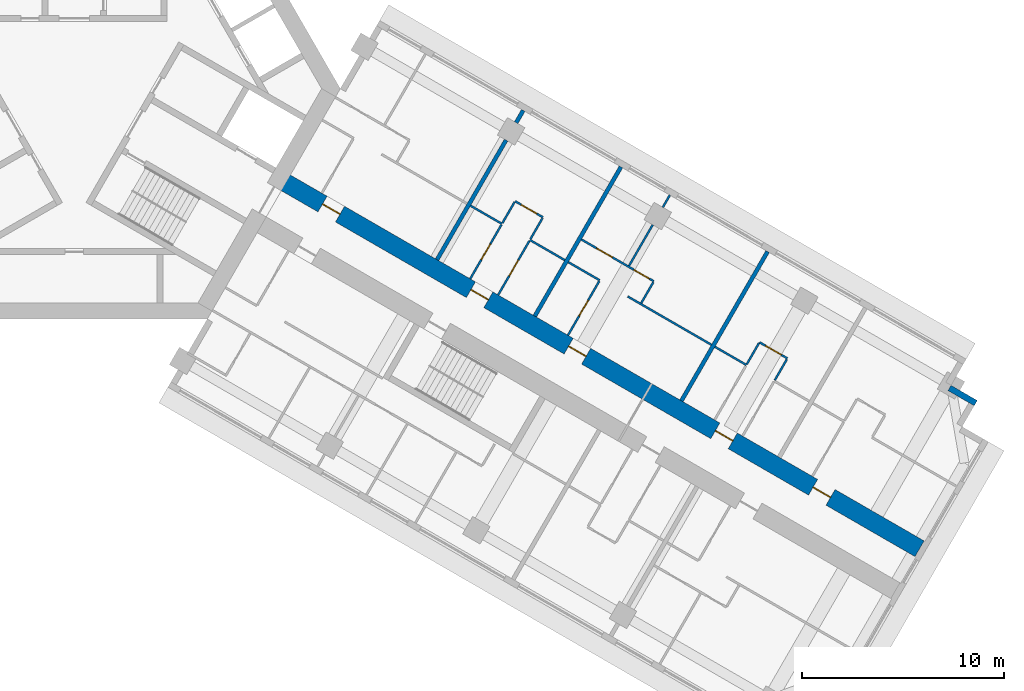
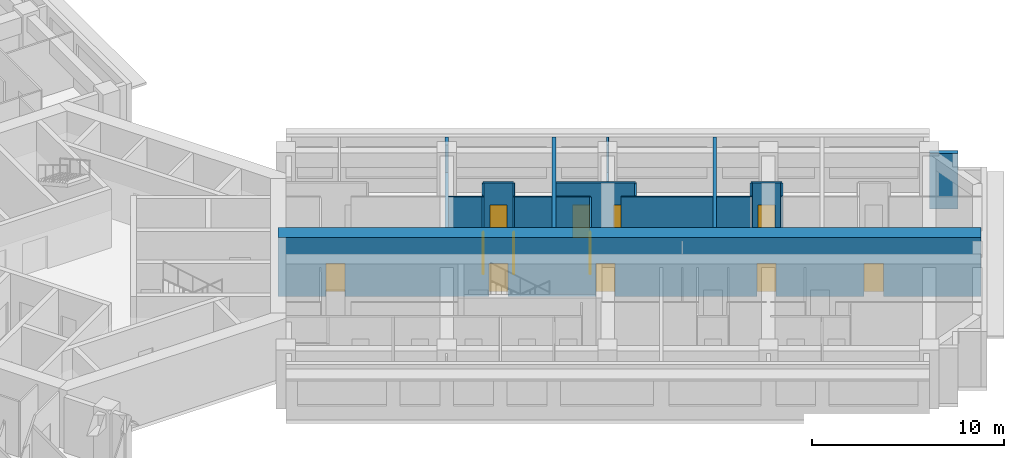
# One storey, part 12 of 15: 24 walls, 12 doors, 12 openings.
"""IFC4 building model written with IfcOpenShell, lengths in metres."""

from ifc_helpers import new_model, si_unit, direction, frame, frame_2d, origin, place, context, subcontext, project, spatial, rectangle, extrude, material, layer, layer_set, type_object, element, fill, save


model = new_model("IFC4")

# Units and contexts
model_context = context("Model", 3, precision=1e-05, world=origin(), true_north=direction((0.0, 1.0)))
body_context = subcontext(model_context, "Body", "Model", "MODEL_VIEW")
ifc_project = project(units=[si_unit("LENGTHUNIT", "METRE"), si_unit("AREAUNIT", "SQUARE_METRE"), si_unit("VOLUMEUNIT", "CUBIC_METRE"), si_unit("PLANEANGLEUNIT", "RADIAN"), si_unit("MASSUNIT", "GRAM", prefix="KILO")], contexts=[model_context])

# Site, building, storey
site_placement = place(None, origin())
site = spatial("IfcSite", under=ifc_project, at=site_placement, CompositionType="ELEMENT")
building_placement = place(site_placement, origin())
building = spatial("IfcBuilding", under=site, at=building_placement, Name="Impinga Residences", CompositionType="ELEMENT")
storey_placement = place(building_placement, frame((0.0, 0.0, 109.75)))
storey = spatial("IfcBuildingStorey", under=building, at=storey_placement, Name="L26", CompositionType="ELEMENT", Elevation=109.75)

# Wall, openings, doors
ifc_material_1 = material(Name="Concrete C60/75", Category="concrete")
ifc_layer_1 = layer(ifc_material_1, 0.89990234375)
ifc_layer_set_1 = layer_set([ifc_layer_1], Name="Concrete C60/75")
wall_type_1 = type_object("IfcWallType", Name="BW2 corridor buttress wall, L24 to L44 900", PredefinedType="SHEAR", material=ifc_layer_set_1)
wall_1_placement = place(storey_placement, frame((10.153564453125, -4.4765625, 0.0), z_axis=(0.0, 0.0, 1.0), x_axis=(0.866027614434, -0.499996171023, 0.0)))
wall_1 = element("IfcWall", 1, at=wall_1_placement, inside=storey, type_object=wall_type_1, Name="Corridor wall BW2 EC L26", PredefinedType="SHEAR", context=body_context, shape_type="SweptSolid", body=[
    extrude(rectangle(XDim=36.699951171875, YDim=0.89990234375, at=frame_2d((18.35009765625, 0.0))), origin(), (0.0, 0.0, 1.0), 3.75),
])
opening_1_placement = place(wall_1_placement, frame((2.5, 0.0, 0.0)))
opening_1 = element("IfcOpeningElement", 2, at=opening_1_placement, cuts=wall_1, Name="Opening D1", PredefinedType="OPENING", context=body_context, shape_type="SweptSolid", body=[
    extrude(rectangle(XDim=1.0, YDim=2.10009765625, at=frame_2d((0.5, 1.050048828125))), frame((0.0, 0.4599609375, 0.0), z_axis=(0.0, -1.0, 0.0), x_axis=(1.0, 0.0, 0.0)), (0.0, 0.0, 1.0), 0.919921875),
])
opening_2_placement = place(wall_1_placement, frame((11.0, 0.0, 0.0)))
opening_2 = element("IfcOpeningElement", 3, at=opening_2_placement, cuts=wall_1, Name="Opening D1", PredefinedType="OPENING", context=body_context, shape_type="SweptSolid", body=[
    extrude(rectangle(XDim=1.0, YDim=2.10009765625, at=frame_2d((0.5, 1.050048828125))), frame((0.0, 0.4599609375, 0.0), z_axis=(0.0, -1.0, 0.0), x_axis=(1.0, 0.0, 0.0)), (0.0, 0.0, 1.0), 0.919921875),
])
opening_3_placement = place(wall_1_placement, frame((16.60009765625, 0.0, 0.0)))
opening_3 = element("IfcOpeningElement", 4, at=opening_3_placement, cuts=wall_1, Name="Opening D1", PredefinedType="OPENING", context=body_context, shape_type="SweptSolid", body=[
    extrude(rectangle(XDim=1.0, YDim=2.10009765625, at=frame_2d((0.5, 1.050048828125))), frame((0.0, 0.4599609375, 0.0), z_axis=(0.0, -1.0, 0.0), x_axis=(1.0, 0.0, 0.0)), (0.0, 0.0, 1.0), 0.919921875),
])
opening_4_placement = place(wall_1_placement, frame((25.0, 0.0, 0.0)))
opening_4 = element("IfcOpeningElement", 5, at=opening_4_placement, cuts=wall_1, Name="Opening D1", PredefinedType="OPENING", context=body_context, shape_type="SweptSolid", body=[
    extrude(rectangle(XDim=1.0, YDim=2.10009765625, at=frame_2d((0.5, 1.050048828125))), frame((0.0, 0.4599609375, 0.0), z_axis=(0.0, -1.0, 0.0), x_axis=(1.0, 0.0, 0.0)), (0.0, 0.0, 1.0), 0.919921875),
])
opening_5_placement = place(wall_1_placement, frame((30.60009765625, 0.0, 0.0)))
opening_5 = element("IfcOpeningElement", 6, at=opening_5_placement, cuts=wall_1, Name="Opening D1", PredefinedType="OPENING", context=body_context, shape_type="SweptSolid", body=[
    extrude(rectangle(XDim=1.0, YDim=2.10009765625, at=frame_2d((0.5, 1.050048828125))), frame((0.0, 0.4599609375, 0.0), z_axis=(0.0, -1.0, 0.0), x_axis=(1.0, 0.0, 0.0)), (0.0, 0.0, 1.0), 0.919921875),
])
ifc_material_2 = material(Name="Timber door set", Category="wood")
door_type_1 = type_object("IfcDoorType", Name="D1 apartment entrance door 1000x2100", OperationType="SINGLE_SWING_LEFT", PredefinedType="DOOR", material=ifc_material_2)
door_1_placement = place(opening_1_placement, origin())
door_1 = element("IfcDoor", 7, at=door_1_placement, inside=storey, type_object=door_type_1, Name="Apartment L26-EA1 entrance", OperationType="SINGLE_SWING_LEFT", OverallHeight=2.10009765625, OverallWidth=1.0, PredefinedType="DOOR", context=body_context, shape_type="SweptSolid", body=[
    extrude(rectangle(XDim=1.0, YDim=2.10009765625, at=frame_2d((0.5, 1.050048828125))), frame((0.0, 0.02490234375, 0.0), z_axis=(0.0, -1.0, 0.0), x_axis=(1.0, 0.0, 0.0)), (0.0, 0.0, 1.0), 0.050048828125),
])
fill(opening_1, door_1)
door_2_placement = place(opening_2_placement, origin())
door_2 = element("IfcDoor", 8, at=door_2_placement, inside=storey, type_object=door_type_1, Name="Apartment L26-EA2 entrance", OperationType="SINGLE_SWING_LEFT", OverallHeight=2.10009765625, OverallWidth=1.0, PredefinedType="DOOR", context=body_context, shape_type="SweptSolid", body=[
    extrude(rectangle(XDim=1.0, YDim=2.10009765625, at=frame_2d((0.5, 1.050048828125))), frame((0.0, 0.02490234375, 0.0), z_axis=(0.0, -1.0, 0.0), x_axis=(1.0, 0.0, 0.0)), (0.0, 0.0, 1.0), 0.050048828125),
])
fill(opening_2, door_2)
door_3_placement = place(opening_3_placement, origin())
door_3 = element("IfcDoor", 9, at=door_3_placement, inside=storey, type_object=door_type_1, Name="Apartment L26-EA3 entrance", OperationType="SINGLE_SWING_LEFT", OverallHeight=2.10009765625, OverallWidth=1.0, PredefinedType="DOOR", context=body_context, shape_type="SweptSolid", body=[
    extrude(rectangle(XDim=1.0, YDim=2.10009765625, at=frame_2d((0.5, 1.050048828125))), frame((0.0, 0.02490234375, 0.0), z_axis=(0.0, -1.0, 0.0), x_axis=(1.0, 0.0, 0.0)), (0.0, 0.0, 1.0), 0.050048828125),
])
fill(opening_3, door_3)
door_4_placement = place(opening_4_placement, origin())
door_4 = element("IfcDoor", 10, at=door_4_placement, inside=storey, type_object=door_type_1, Name="Apartment L26-EA4 entrance", OperationType="SINGLE_SWING_RIGHT", OverallHeight=2.10009765625, OverallWidth=1.0, PredefinedType="DOOR", context=body_context, shape_type="SweptSolid", body=[
    extrude(rectangle(XDim=1.0, YDim=2.10009765625, at=frame_2d((0.5, 1.050048828125))), frame((0.0, 0.02490234375, 0.0), z_axis=(0.0, -1.0, 0.0), x_axis=(1.0, 0.0, 0.0)), (0.0, 0.0, 1.0), 0.050048828125),
])
fill(opening_4, door_4)
door_5_placement = place(opening_5_placement, origin())
door_5 = element("IfcDoor", 11, at=door_5_placement, inside=storey, type_object=door_type_1, Name="Apartment L26-EA5 entrance", OperationType="SINGLE_SWING_RIGHT", OverallHeight=2.10009765625, OverallWidth=1.0, PredefinedType="DOOR", context=body_context, shape_type="SweptSolid", body=[
    extrude(rectangle(XDim=1.0, YDim=2.10009765625, at=frame_2d((0.5, 1.050048828125))), frame((0.0, 0.02490234375, 0.0), z_axis=(0.0, -1.0, 0.0), x_axis=(1.0, 0.0, 0.0)), (0.0, 0.0, 1.0), 0.050048828125),
])
fill(opening_5, door_5)

# Walls
ifc_material_3 = material(Name="Terracotta rainscreen on blockwork", Category="masonry")
ifc_layer_2 = layer(ifc_material_3, 0.300048828125)
ifc_layer_set_2 = layer_set([ifc_layer_2], Name="EW1 external wall, terracotta rainscreen on blockwork 300")
wall_type_2 = type_object("IfcWallType", Name="EW1 external wall, terracotta rainscreen on blockwork 300", PredefinedType="SOLIDWALL", material=ifc_layer_set_2)
wall_2_placement = place(storey_placement, frame((43.42333984375, -14.8515625, 0.0), z_axis=(0.0, 0.0, 1.0), x_axis=(0.866031096941, -0.499990139034, 0.0)))
element("IfcWall", 12, at=wall_2_placement, inside=storey, type_object=wall_type_2, Name="External wall EW1 L26", PredefinedType="SOLIDWALL", context=body_context, shape_type="SweptSolid", body=[
    extrude(rectangle(XDim=1.5, YDim=0.300048828125, at=frame_2d((0.75, 0.0))), origin(), (0.0, 0.0, 1.0), 3.530029296875),
])
ifc_material_4 = material(Name="Gypsum board on steel studs", Category="steel")
ifc_layer_3 = layer(ifc_material_4, 0.10009765625)
ifc_layer_set_3 = layer_set([ifc_layer_3], Name="Gypsum board on steel studs")
wall_type_3 = type_object("IfcWallType", Name="IP1 partition 100", PredefinedType="PARTITIONING", material=ifc_layer_set_3)
wall_3_placement = place(storey_placement, frame((19.6611328125, -5.808837890625, 0.0), z_axis=(0.0, 0.0, 1.0), x_axis=(0.866047807691, -0.499961193289, 0.0)))
element("IfcWall", 13, at=wall_3_placement, inside=storey, type_object=wall_type_3, Name="Partition L26-EA2:DIV0", PredefinedType="PARTITIONING", context=body_context, shape_type="SweptSolid", body=[
    extrude(rectangle(XDim=1.800048828125, YDim=0.10009765625, at=frame_2d((0.89990234375, 0.0))), origin(), (0.0, 0.0, 1.0), 3.530029296875),
])
wall_4_placement = place(storey_placement, frame((22.605712890625, -7.5087890625, 0.0), z_axis=(0.0, 0.0, 1.0), x_axis=(0.866010750942, -0.50002537861, 0.0)))
element("IfcWall", 14, at=wall_4_placement, inside=storey, type_object=wall_type_3, Name="Partition L26-EA2:DIV1", PredefinedType="PARTITIONING", context=body_context, shape_type="SweptSolid", body=[
    extrude(rectangle(XDim=2.0, YDim=0.10009765625, at=frame_2d((1.0, 0.0))), origin(), (0.0, 0.0, 1.0), 3.530029296875),
])

# Wall, opening, door
wall_5_placement = place(storey_placement, frame((21.8701171875, -5.5830078125, 0.0), z_axis=(0.0, 0.0, 1.0), x_axis=(0.865989903783, -0.500061482766, 0.0)))
wall_5 = element("IfcWall", 15, at=wall_5_placement, inside=storey, type_object=wall_type_3, Name="Partition L26-EA2:STRIP", PredefinedType="PARTITIONING", context=body_context, shape_type="SweptSolid", body=[
    extrude(rectangle(XDim=1.599853515625, YDim=0.10009765625, at=frame_2d((0.7998046875, 0.0))), origin(), (0.0, 0.0, 1.0), 3.530029296875),
])
opening_6_placement = place(wall_5_placement, frame((0.35009765625, 0.0, 0.0)))
opening_6 = element("IfcOpeningElement", 16, at=opening_6_placement, cuts=wall_5, Name="Opening D2", PredefinedType="OPENING", context=body_context, shape_type="SweptSolid", body=[
    extrude(rectangle(XDim=0.89990234375, YDim=2.10009765625, at=frame_2d((0.449951171875, 1.050048828125))), frame((0.0, 0.06005859375, 0.0), z_axis=(0.0, -1.0, 0.0), x_axis=(1.0, 0.0, 0.0)), (0.0, 0.0, 1.0), 0.1201171875),
])
door_type_2 = type_object("IfcDoorType", Name="D2 internal door 900x2100", OperationType="SINGLE_SWING_LEFT", PredefinedType="DOOR", material=ifc_material_2)
door_6_placement = place(opening_6_placement, origin())
door_6 = element("IfcDoor", 17, at=door_6_placement, inside=storey, type_object=door_type_2, Name="Apartment L26-EA2 room door", OperationType="SINGLE_SWING_LEFT", OverallHeight=2.10009765625, OverallWidth=0.89990234375, PredefinedType="DOOR", context=body_context, shape_type="SweptSolid", body=[
    extrude(rectangle(XDim=0.89990234375, YDim=2.10009765625, at=frame_2d((0.449951171875, 1.050048828125))), frame((0.0, 0.02490234375, 0.0), z_axis=(0.0, -1.0, 0.0), x_axis=(1.0, 0.0, 0.0)), (0.0, 0.0, 1.0), 0.050048828125),
])
fill(opening_6, door_6)

# Walls
wall_6_placement = place(storey_placement, frame((21.2451171875, -6.66552734375, 0.0), z_axis=(0.0, 0.0, 1.0), x_axis=(0.499880961361, 0.866094119867, 0.0)))
element("IfcWall", 18, at=wall_6_placement, inside=storey, type_object=wall_type_3, Name="Partition L26-EA2:SE0", PredefinedType="PARTITIONING", context=body_context, shape_type="SweptSolid", body=[
    extrude(rectangle(XDim=1.199951171875, YDim=0.10009765625, at=frame_2d((0.60009765625, 0.0))), origin(), (0.0, 0.0, 1.0), 3.530029296875),
])
wall_7_placement = place(storey_placement, frame((22.630615234375, -7.465576171875, 0.0), z_axis=(0.0, 0.0, 1.0), x_axis=(0.500033551112, 0.866006032174, 0.0)))
element("IfcWall", 19, at=wall_7_placement, inside=storey, type_object=wall_type_3, Name="Partition L26-EA2:SE1", PredefinedType="PARTITIONING", context=body_context, shape_type="SweptSolid", body=[
    extrude(rectangle(XDim=1.2001953125, YDim=0.10009765625, at=frame_2d((0.60009765625, 0.0))), origin(), (0.0, 0.0, 1.0), 3.530029296875),
])

# Wall, opening, door
wall_8_placement = place(storey_placement, frame((19.64501953125, -9.436767578125, 0.0), z_axis=(0.0, 0.0, 1.0), x_axis=(0.500026960575, 0.86600983753, 0.0)))
wall_8 = element("IfcWall", 20, at=wall_8_placement, inside=storey, type_object=wall_type_3, Name="Partition L26-EA2:IB1", PredefinedType="PARTITIONING", context=body_context, shape_type="SweptSolid", body=[
    extrude(rectangle(XDim=3.099853515625, YDim=0.10009765625, at=frame_2d((1.5498046875, 0.0))), origin(), (0.0, 0.0, 1.0), 3.530029296875),
])
opening_7_placement = place(wall_8_placement, frame((1.10009765625, 0.0, 0.0)))
opening_7 = element("IfcOpeningElement", 21, at=opening_7_placement, cuts=wall_8, Name="Opening D2", PredefinedType="OPENING", context=body_context, shape_type="SweptSolid", body=[
    extrude(rectangle(XDim=0.89990234375, YDim=2.10009765625, at=frame_2d((0.449951171875, 1.050048828125))), frame((0.0, 0.06005859375, 0.0), z_axis=(0.0, -1.0, 0.0), x_axis=(1.0, 0.0, 0.0)), (0.0, 0.0, 1.0), 0.1201171875),
])
door_7_placement = place(opening_7_placement, origin())
door_7 = element("IfcDoor", 22, at=door_7_placement, inside=storey, type_object=door_type_2, Name="Apartment L26-EA2 bathroom door", OperationType="SINGLE_SWING_LEFT", OverallHeight=2.10009765625, OverallWidth=0.89990234375, PredefinedType="DOOR", context=body_context, shape_type="SweptSolid", body=[
    extrude(rectangle(XDim=0.89990234375, YDim=2.10009765625, at=frame_2d((0.449951171875, 1.050048828125))), frame((0.0, 0.02490234375, 0.0), z_axis=(0.0, -1.0, 0.0), x_axis=(1.0, 0.0, 0.0)), (0.0, 0.0, 1.0), 0.050048828125),
])
fill(opening_7, door_7)

wall_9_placement = place(storey_placement, frame((21.03076171875, -10.23681640625, 0.0), z_axis=(0.0, 0.0, 1.0), x_axis=(0.500026960575, 0.86600983753, 0.0)))
wall_9 = element("IfcWall", 23, at=wall_9_placement, inside=storey, type_object=wall_type_3, Name="Partition L26-EA2:IB2", PredefinedType="PARTITIONING", context=body_context, shape_type="SweptSolid", body=[
    extrude(rectangle(XDim=3.099853515625, YDim=0.10009765625, at=frame_2d((1.5498046875, 0.0))), origin(), (0.0, 0.0, 1.0), 3.530029296875),
])
opening_8_placement = place(wall_9_placement, frame((1.10009765625, 0.0, 0.0)))
opening_8 = element("IfcOpeningElement", 24, at=opening_8_placement, cuts=wall_9, Name="Opening D2", PredefinedType="OPENING", context=body_context, shape_type="SweptSolid", body=[
    extrude(rectangle(XDim=0.89990234375, YDim=2.10009765625, at=frame_2d((0.449951171875, 1.050048828125))), frame((0.0, 0.06005859375, 0.0), z_axis=(0.0, -1.0, 0.0), x_axis=(1.0, 0.0, 0.0)), (0.0, 0.0, 1.0), 0.1201171875),
])
door_8_placement = place(opening_8_placement, origin())
door_8 = element("IfcDoor", 25, at=door_8_placement, inside=storey, type_object=door_type_2, Name="Apartment L26-EA2 WC door", OperationType="SINGLE_SWING_LEFT", OverallHeight=2.10009765625, OverallWidth=0.89990234375, PredefinedType="DOOR", context=body_context, shape_type="SweptSolid", body=[
    extrude(rectangle(XDim=0.89990234375, YDim=2.10009765625, at=frame_2d((0.449951171875, 1.050048828125))), frame((0.0, 0.02490234375, 0.0), z_axis=(0.0, -1.0, 0.0), x_axis=(1.0, 0.0, 0.0)), (0.0, 0.0, 1.0), 0.050048828125),
])
fill(opening_8, door_8)

# Walls
wall_10_placement = place(storey_placement, frame((24.510986328125, -8.60888671875, 0.0), z_axis=(0.0, 0.0, 1.0), x_axis=(0.866047807691, -0.499961193289, 0.0)))
element("IfcWall", 26, at=wall_10_placement, inside=storey, type_object=wall_type_3, Name="Partition L26-EA3:DIV0", PredefinedType="PARTITIONING", context=body_context, shape_type="SweptSolid", body=[
    extrude(rectangle(XDim=1.800048828125, YDim=0.10009765625, at=frame_2d((0.89990234375, 0.0))), origin(), (0.0, 0.0, 1.0), 3.530029296875),
])
wall_11_placement = place(storey_placement, frame((27.45556640625, -10.308837890625, 0.0), z_axis=(0.0, 0.0, 1.0), x_axis=(0.866024647952, -0.500001309137, 0.0)))
element("IfcWall", 27, at=wall_11_placement, inside=storey, type_object=wall_type_3, Name="Partition L26-EA3:DIV1", PredefinedType="PARTITIONING", context=body_context, shape_type="SweptSolid", body=[
    extrude(rectangle(XDim=4.7998046875, YDim=0.10009765625, at=frame_2d((2.39990234375, 0.0))), origin(), (0.0, 0.0, 1.0), 3.530029296875),
])

# Wall, openings, doors
wall_12_placement = place(storey_placement, frame((25.160888671875, -7.48291015625, 0.0), z_axis=(0.0, 0.0, 1.0), x_axis=(0.866004344652, -0.500036473714, 0.0)))
wall_12 = element("IfcWall", 28, at=wall_12_placement, inside=storey, type_object=wall_type_3, Name="Partition L26-EA3:STRIP", PredefinedType="PARTITIONING", context=body_context, shape_type="SweptSolid", body=[
    extrude(rectangle(XDim=4.150146484375, YDim=0.10009765625, at=frame_2d((2.0751953125, 0.0))), origin(), (0.0, 0.0, 1.0), 3.530029296875),
])
opening_9_placement = place(wall_12_placement, frame((0.875, 0.0, 0.0)))
opening_9 = element("IfcOpeningElement", 29, at=opening_9_placement, cuts=wall_12, Name="Opening D2", PredefinedType="OPENING", context=body_context, shape_type="SweptSolid", body=[
    extrude(rectangle(XDim=0.89990234375, YDim=2.10009765625, at=frame_2d((0.449951171875, 1.050048828125))), frame((0.0, 0.06005859375, 0.0), z_axis=(0.0, -1.0, 0.0), x_axis=(1.0, 0.0, 0.0)), (0.0, 0.0, 1.0), 0.1201171875),
])
opening_10_placement = place(wall_12_placement, frame((3.0, 0.0, 0.0)))
opening_10 = element("IfcOpeningElement", 30, at=opening_10_placement, cuts=wall_12, Name="Opening D2", PredefinedType="OPENING", context=body_context, shape_type="SweptSolid", body=[
    extrude(rectangle(XDim=0.89990234375, YDim=2.10009765625, at=frame_2d((0.449951171875, 1.050048828125))), frame((0.0, 0.06005859375, 0.0), z_axis=(0.0, -1.0, 0.0), x_axis=(1.0, 0.0, 0.0)), (0.0, 0.0, 1.0), 0.1201171875),
])
door_9_placement = place(opening_9_placement, origin())
door_9 = element("IfcDoor", 31, at=door_9_placement, inside=storey, type_object=door_type_2, Name="Apartment L26-EA3 room door", OperationType="SINGLE_SWING_LEFT", OverallHeight=2.10009765625, OverallWidth=0.89990234375, PredefinedType="DOOR", context=body_context, shape_type="SweptSolid", body=[
    extrude(rectangle(XDim=0.89990234375, YDim=2.10009765625, at=frame_2d((0.449951171875, 1.050048828125))), frame((0.0, 0.02490234375, 0.0), z_axis=(0.0, -1.0, 0.0), x_axis=(1.0, 0.0, 0.0)), (0.0, 0.0, 1.0), 0.050048828125),
])
fill(opening_9, door_9)
door_10_placement = place(opening_10_placement, origin())
door_10 = element("IfcDoor", 32, at=door_10_placement, inside=storey, type_object=door_type_2, Name="Apartment L26-EA3 room door", OperationType="SINGLE_SWING_RIGHT", OverallHeight=2.10009765625, OverallWidth=0.89990234375, PredefinedType="DOOR", context=body_context, shape_type="SweptSolid", body=[
    extrude(rectangle(XDim=0.89990234375, YDim=2.10009765625, at=frame_2d((0.449951171875, 1.050048828125))), frame((0.0, 0.02490234375, 0.0), z_axis=(0.0, -1.0, 0.0), x_axis=(1.0, 0.0, 0.0)), (0.0, 0.0, 1.0), 0.050048828125),
])
fill(opening_10, door_10)

# Wall
wall_13_placement = place(storey_placement, frame((28.1298828125, -10.640625, 0.0), z_axis=(0.0, 0.0, 1.0), x_axis=(0.500033551112, 0.866006032174, 0.0)))
element("IfcWall", 33, at=wall_13_placement, inside=storey, type_object=wall_type_3, Name="Partition L26-EA3:SE1", PredefinedType="PARTITIONING", context=body_context, shape_type="SweptSolid", body=[
    extrude(rectangle(XDim=1.2001953125, YDim=0.10009765625, at=frame_2d((0.60009765625, 0.0))), origin(), (0.0, 0.0, 1.0), 3.530029296875),
])

# Wall, opening, door
wall_14_placement = place(storey_placement, frame((24.494873046875, -12.23681640625, 0.0), z_axis=(0.0, 0.0, 1.0), x_axis=(0.500026960575, 0.86600983753, 0.0)))
wall_14 = element("IfcWall", 34, at=wall_14_placement, inside=storey, type_object=wall_type_3, Name="Partition L26-EA3:IB1", PredefinedType="PARTITIONING", context=body_context, shape_type="SweptSolid", body=[
    extrude(rectangle(XDim=3.099853515625, YDim=0.10009765625, at=frame_2d((1.5498046875, 0.0))), origin(), (0.0, 0.0, 1.0), 3.530029296875),
])
opening_11_placement = place(wall_14_placement, frame((1.10009765625, 0.0, 0.0)))
opening_11 = element("IfcOpeningElement", 35, at=opening_11_placement, cuts=wall_14, Name="Opening D2", PredefinedType="OPENING", context=body_context, shape_type="SweptSolid", body=[
    extrude(rectangle(XDim=0.89990234375, YDim=2.10009765625, at=frame_2d((0.449951171875, 1.050048828125))), frame((0.0, 0.06005859375, 0.0), z_axis=(0.0, -1.0, 0.0), x_axis=(1.0, 0.0, 0.0)), (0.0, 0.0, 1.0), 0.1201171875),
])
door_11_placement = place(opening_11_placement, origin())
door_11 = element("IfcDoor", 36, at=door_11_placement, inside=storey, type_object=door_type_2, Name="Apartment L26-EA3 bathroom door", OperationType="SINGLE_SWING_LEFT", OverallHeight=2.10009765625, OverallWidth=0.89990234375, PredefinedType="DOOR", context=body_context, shape_type="SweptSolid", body=[
    extrude(rectangle(XDim=0.89990234375, YDim=2.10009765625, at=frame_2d((0.449951171875, 1.050048828125))), frame((0.0, 0.02490234375, 0.0), z_axis=(0.0, -1.0, 0.0), x_axis=(1.0, 0.0, 0.0)), (0.0, 0.0, 1.0), 0.050048828125),
])
fill(opening_11, door_11)

# Walls
wall_15_placement = place(storey_placement, frame((27.524169921875, -8.789794921875, 0.0), z_axis=(0.0, 0.0, 1.0), x_axis=(0.500016218704, 0.866016039709, 0.0)))
element("IfcWall", 37, at=wall_15_placement, inside=storey, type_object=wall_type_3, Name="Partition L26-EA3:OB1", PredefinedType="PARTITIONING", context=body_context, shape_type="SweptSolid", body=[
    extrude(rectangle(XDim=2.35009765625, YDim=0.10009765625, at=frame_2d((1.175048828125, 0.0))), origin(), (0.0, 0.0, 1.0), 2.47998046875),
])
wall_16_placement = place(storey_placement, frame((29.19921875, -5.888427734375, 0.0), z_axis=(0.0, 0.0, 1.0), x_axis=(0.500114896893, 0.865959057869, 0.0)))
element("IfcWall", 38, at=wall_16_placement, inside=storey, type_object=wall_type_3, Name="Partition L26-EA3:OB1b", PredefinedType="PARTITIONING", context=body_context, shape_type="SweptSolid", body=[
    extrude(rectangle(XDim=0.699951171875, YDim=0.10009765625, at=frame_2d((0.35009765625, 0.0))), origin(), (0.0, 0.0, 1.0), 3.530029296875),
])
wall_17_placement = place(storey_placement, frame((31.78564453125, -12.808837890625, 0.0), z_axis=(0.0, 0.0, 1.0), x_axis=(0.866047807691, -0.499961193289, 0.0)))
element("IfcWall", 39, at=wall_17_placement, inside=storey, type_object=wall_type_3, Name="Partition L26-EA4:DIV0", PredefinedType="PARTITIONING", context=body_context, shape_type="SweptSolid", body=[
    extrude(rectangle(XDim=1.800048828125, YDim=0.10009765625, at=frame_2d((0.89990234375, 0.0))), origin(), (0.0, 0.0, 1.0), 3.530029296875),
])

# Wall, opening, door
wall_18_placement = place(storey_placement, frame((33.994384765625, -12.5830078125, 0.0), z_axis=(0.0, 0.0, 1.0), x_axis=(0.866028054938, -0.499995408039, 0.0)))
wall_18 = element("IfcWall", 40, at=wall_18_placement, inside=storey, type_object=wall_type_3, Name="Partition L26-EA4:STRIP", PredefinedType="PARTITIONING", context=body_context, shape_type="SweptSolid", body=[
    extrude(rectangle(XDim=1.60009765625, YDim=0.10009765625, at=frame_2d((0.800048828125, 0.0))), origin(), (0.0, 0.0, 1.0), 3.530029296875),
])
opening_12_placement = place(wall_18_placement, frame((0.35009765625, 0.0, 0.0)))
opening_12 = element("IfcOpeningElement", 41, at=opening_12_placement, cuts=wall_18, Name="Opening D2", PredefinedType="OPENING", context=body_context, shape_type="SweptSolid", body=[
    extrude(rectangle(XDim=0.89990234375, YDim=2.10009765625, at=frame_2d((0.449951171875, 1.050048828125))), frame((0.0, 0.06005859375, 0.0), z_axis=(0.0, -1.0, 0.0), x_axis=(1.0, 0.0, 0.0)), (0.0, 0.0, 1.0), 0.1201171875),
])
door_12_placement = place(opening_12_placement, origin())
door_12 = element("IfcDoor", 42, at=door_12_placement, inside=storey, type_object=door_type_2, Name="Apartment L26-EA4 room door", OperationType="SINGLE_SWING_LEFT", OverallHeight=2.10009765625, OverallWidth=0.89990234375, PredefinedType="DOOR", context=body_context, shape_type="SweptSolid", body=[
    extrude(rectangle(XDim=0.89990234375, YDim=2.10009765625, at=frame_2d((0.449951171875, 1.050048828125))), frame((0.0, 0.02490234375, 0.0), z_axis=(0.0, -1.0, 0.0), x_axis=(1.0, 0.0, 0.0)), (0.0, 0.0, 1.0), 0.050048828125),
])
fill(opening_12, door_12)

# Walls
wall_19_placement = place(storey_placement, frame((33.369384765625, -13.66552734375, 0.0), z_axis=(0.0, 0.0, 1.0), x_axis=(0.500033551112, 0.866006032174, 0.0)))
element("IfcWall", 43, at=wall_19_placement, inside=storey, type_object=wall_type_3, Name="Partition L26-EA4:SE0", PredefinedType="PARTITIONING", context=body_context, shape_type="SweptSolid", body=[
    extrude(rectangle(XDim=1.2001953125, YDim=0.10009765625, at=frame_2d((0.60009765625, 0.0))), origin(), (0.0, 0.0, 1.0), 3.530029296875),
])
wall_20_placement = place(storey_placement, frame((34.755126953125, -14.465576171875, 0.0), z_axis=(0.0, 0.0, 1.0), x_axis=(0.499880961361, 0.866094119867, 0.0)))
element("IfcWall", 44, at=wall_20_placement, inside=storey, type_object=wall_type_3, Name="Partition L26-EA4:SE1", PredefinedType="PARTITIONING", context=body_context, shape_type="SweptSolid", body=[
    extrude(rectangle(XDim=1.199951171875, YDim=0.10009765625, at=frame_2d((0.60009765625, 0.0))), origin(), (0.0, 0.0, 1.0), 3.530029296875),
])
ifc_material_5 = material(Name="Concrete blockwork", Category="masonry")
ifc_layer_4 = layer(ifc_material_5, 0.199951171875)
ifc_layer_set_4 = layer_set([ifc_layer_4], Name="PW1 party wall between apartments 200")
wall_type_4 = type_object("IfcWallType", Name="PW1 party wall between apartments 200", PredefinedType="SOLIDWALL", material=ifc_layer_set_4)
wall_21_placement = place(storey_placement, frame((17.99951171875, -8.48681640625, 0.0), z_axis=(0.0, 0.0, 1.0), x_axis=(0.499999086063, 0.866025931445, 0.0)))
element("IfcWall", 45, at=wall_21_placement, inside=storey, type_object=wall_type_4, Name="Party wall between apartments L26-EA1:PARTY", PredefinedType="SOLIDWALL", context=body_context, shape_type="SweptSolid", body=[
    extrude(rectangle(XDim=6.85009765625, YDim=0.199951171875, at=frame_2d((3.425048828125, 0.0))), origin(), (0.0, 0.0, 1.0), 2.47998046875),
])
wall_22_placement = place(storey_placement, frame((21.924560546875, -1.6884765625, 0.0), z_axis=(0.0, 0.0, 1.0), x_axis=(0.500114896893, 0.865959057869, 0.0)))
element("IfcWall", 46, at=wall_22_placement, inside=storey, type_object=wall_type_4, Name="Party wall between apartments L26-EA1:PARTYb", PredefinedType="SOLIDWALL", context=body_context, shape_type="SweptSolid", body=[
    extrude(rectangle(XDim=0.699951171875, YDim=0.199951171875, at=frame_2d((0.35009765625, 0.0))), origin(), (0.0, 0.0, 1.0), 3.530029296875),
])
for number, where, z_axis, x_axis, name in (
    (47, (22.849365234375, -11.286865234375, 0.0), (0.0, 0.0, 1.0), (0.499990227581, 0.86603104582, 0.0), "Party wall between apartments L26-EA2:PARTY"),
    (48, (30.1240234375, -15.48681640625, 0.0), (0.0, 0.0, 1.0), (0.499990227581, 0.86603104582, 0.0), "Party wall between apartments L26-EA3:PARTY"),
):
    element("IfcWall", number, at=place(storey_placement, frame(where, z_axis=z_axis, x_axis=x_axis)), inside=storey, type_object=wall_type_4, Name=name, PredefinedType="SOLIDWALL", context=body_context, shape_type="SweptSolid", body=[
        extrude(rectangle(XDim=8.550048828125, YDim=0.199951171875, at=frame_2d((4.27490234375, 0.0))), origin(), (0.0, 0.0, 1.0), 3.530029296875),
    ])

save(model, "model.ifc")
